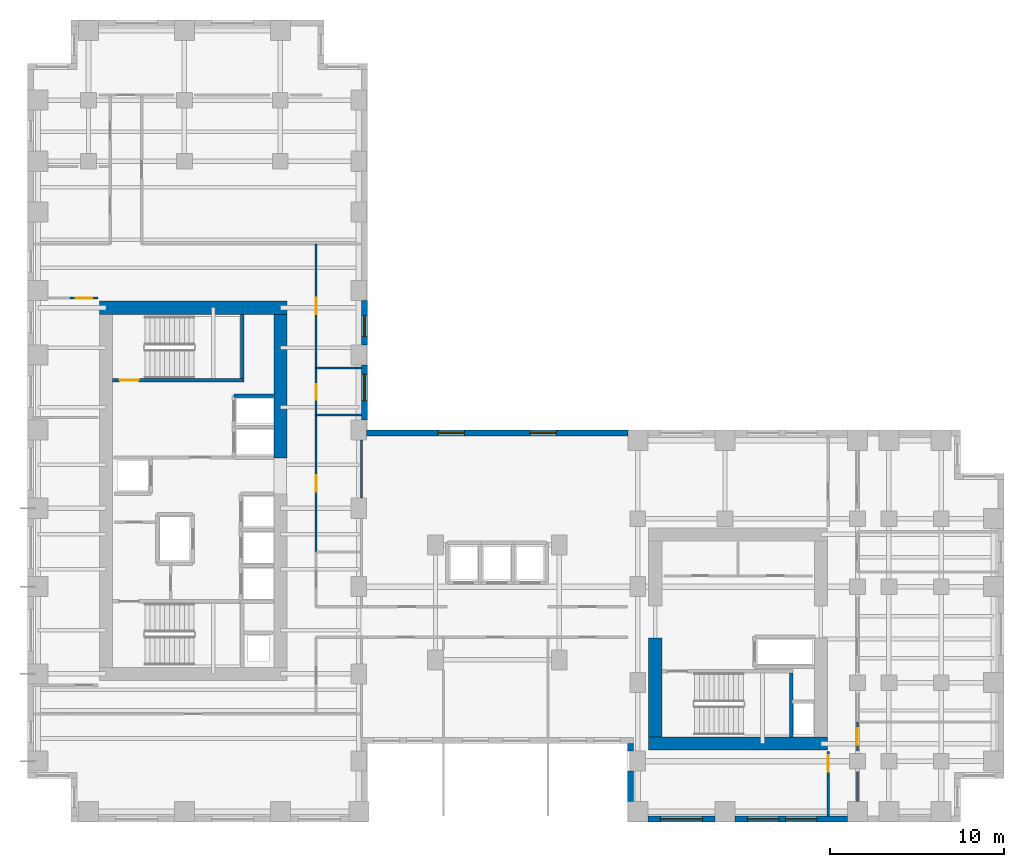
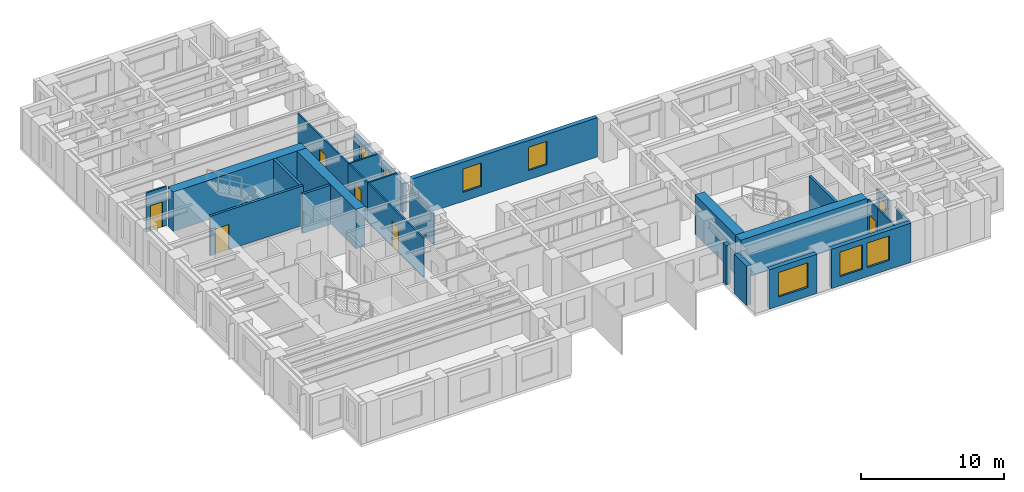
# One storey, part 6 of 11: 26 walls, 7 doors, 7 windows, 14 openings.
"""IFC4 building model written with IfcOpenShell, lengths in metres."""

from ifc_helpers import new_model, si_unit, direction, frame, frame_2d, origin, place, context, subcontext, project, spatial, rectangle, extrude, source, transform, mapped, material, layer, layer_set, type_object, element, fill, save


model = new_model("IFC4")

# Units and contexts
model_context = context("Model", 3, precision=1e-05, world=origin(), true_north=direction((0.0, 1.0)))
body_context = subcontext(model_context, "Body", "Model", "MODEL_VIEW")
ifc_project = project(units=[si_unit("LENGTHUNIT", "METRE"), si_unit("AREAUNIT", "SQUARE_METRE"), si_unit("VOLUMEUNIT", "CUBIC_METRE"), si_unit("PLANEANGLEUNIT", "RADIAN"), si_unit("MASSUNIT", "GRAM", prefix="KILO")], contexts=[model_context])

# Site, building, storey
site_placement = place(None, origin())
site = spatial("IfcSite", under=ifc_project, at=site_placement, CompositionType="ELEMENT")
building_placement = place(site_placement, origin())
building = spatial("IfcBuilding", under=site, at=building_placement, Name="Kharzan Plaza Tower", CompositionType="ELEMENT")
storey_placement = place(building_placement, frame((0.0, 0.0, 84.60009765625)))
storey = spatial("IfcBuildingStorey", under=building, at=storey_placement, Name="L22", CompositionType="ELEMENT", Elevation=84.60009765625)

# Wall, opening, window
ifc_material_1 = material(Name="Concrete C40/50", Category="concrete")
ifc_layer_1 = layer(ifc_material_1, 0.35009765625)
ifc_layer_set_1 = layer_set([ifc_layer_1], Name="Concrete C40/50")
wall_type_1 = type_object("IfcWallType", Name="WL-EXT-MAS-Z2", PredefinedType="SOLIDWALL", material=ifc_layer_set_1)
wall_1_placement = place(storey_placement, frame((35.572998046875, 0.175048828125, 0.0), z_axis=(0.0, 0.0, 1.0), x_axis=(1.0, 0.0, 0.0)))
wall_1 = element("IfcWall", 1, at=wall_1_placement, inside=storey, type_object=wall_type_1, Name="L22 Masonry-Frame Exterior Wall 30", PredefinedType="SOLIDWALL", context=body_context, shape_type="SweptSolid", body=[
    extrude(rectangle(XDim=3.85400390625, YDim=0.35009765625, at=frame_2d((1.927001953125, 0.0))), origin(), (0.0, 0.0, 1.0), 3.364990234375),
])
opening_1_placement = place(wall_1_placement, frame((0.72705078125, 0.0, 0.780029296875)))
opening_1 = element("IfcOpeningElement", 2, at=opening_1_placement, cuts=wall_1, Name="Opening W2", PredefinedType="OPENING", context=body_context, shape_type="SweptSolid", body=[
    extrude(rectangle(XDim=2.39990234375, YDim=2.10009765625, at=frame_2d((1.199951171875, 1.050048828125))), frame((0.0, 0.18505859375, 0.0), z_axis=(0.0, -1.0, 0.0), x_axis=(1.0, 0.0, 0.0)), (0.0, 0.0, 1.0), 0.3701171875),
])
ifc_material_2 = material(Name="Low-E Double Glazing", Category="glass")
window_type_1 = type_object("IfcWindowType", Name="WN-REC-2400x2100", PartitioningType="SINGLE_PANEL", PredefinedType="WINDOW", material=ifc_material_2)
shared_shape_1 = source(origin(), body_context, "Body", "SweptSolid", [
    extrude(rectangle(XDim=2.39990234375, YDim=2.10009765625, at=frame_2d((1.199951171875, 1.050048828125))), frame((0.0, 0.030029296875, 0.0), z_axis=(0.0, -1.0, 0.0), x_axis=(1.0, 0.0, 0.0)), (0.0, 0.0, 1.0), 0.06005859375),
])
window_1_placement = place(opening_1_placement, origin())
window_1 = element("IfcWindow", 3, at=window_1_placement, inside=storey, type_object=window_type_1, Name="L22 Wide Recessed Solar-Control Window 30-1", OverallHeight=2.10009765625, OverallWidth=2.39990234375, PartitioningType="SINGLE_PANEL", PredefinedType="WINDOW", context=body_context, shape_type="MappedRepresentation", body=[
    mapped(shared_shape_1, transform((0.0, 0.0, 0.0), x_axis=(1.0, 0.0, 0.0), y_axis=(0.0, 1.0, 0.0), z_axis=(0.0, 0.0, 1.0))),
])
fill(opening_1, window_1)

# Wall, openings, windows
wall_2_placement = place(storey_placement, frame((40.572998046875, 0.175048828125, 0.0), z_axis=(0.0, 0.0, 1.0), x_axis=(1.0, 0.0, 0.0)))
wall_2 = element("IfcWall", 4, at=wall_2_placement, inside=storey, type_object=wall_type_1, Name="L22 Masonry-Frame Exterior Wall 31", PredefinedType="SOLIDWALL", context=body_context, shape_type="SweptSolid", body=[
    extrude(rectangle(XDim=6.4541015625, YDim=0.35009765625, at=frame_2d((3.22705078125, 0.0))), origin(), (0.0, 0.0, 1.0), 3.364990234375),
])
opening_2_placement = place(wall_2_placement, frame((0.71240234375, 0.0, 0.780029296875)))
opening_2 = element("IfcOpeningElement", 5, at=opening_2_placement, cuts=wall_2, Name="Opening W1", PredefinedType="OPENING", context=body_context, shape_type="SweptSolid", body=[
    extrude(rectangle(XDim=1.800048828125, YDim=2.10009765625, at=frame_2d((0.89990234375, 1.050048828125))), frame((0.0, 0.18505859375, 0.0), z_axis=(0.0, -1.0, 0.0), x_axis=(1.0, 0.0, 0.0)), (0.0, 0.0, 1.0), 0.3701171875),
])
opening_3_placement = place(wall_2_placement, frame((2.90478515625, 0.0, 0.780029296875)))
opening_3 = element("IfcOpeningElement", 6, at=opening_3_placement, cuts=wall_2, Name="Opening W1", PredefinedType="OPENING", context=body_context, shape_type="SweptSolid", body=[
    extrude(rectangle(XDim=1.800048828125, YDim=2.10009765625, at=frame_2d((0.89990234375, 1.050048828125))), frame((0.0, 0.18505859375, 0.0), z_axis=(0.0, -1.0, 0.0), x_axis=(1.0, 0.0, 0.0)), (0.0, 0.0, 1.0), 0.3701171875),
])
window_type_2 = type_object("IfcWindowType", Name="WN-REC-1800x2100", PartitioningType="SINGLE_PANEL", PredefinedType="WINDOW", material=ifc_material_2)
shared_shape_2 = source(origin(), body_context, "Body", "SweptSolid", [
    extrude(rectangle(XDim=1.800048828125, YDim=2.10009765625, at=frame_2d((0.89990234375, 1.050048828125))), frame((0.0, 0.030029296875, 0.0), z_axis=(0.0, -1.0, 0.0), x_axis=(1.0, 0.0, 0.0)), (0.0, 0.0, 1.0), 0.06005859375),
])
window_2_placement = place(opening_2_placement, origin())
window_2 = element("IfcWindow", 7, at=window_2_placement, inside=storey, type_object=window_type_2, Name="L22 Recessed Solar-Control Window 31-1", OverallHeight=2.10009765625, OverallWidth=1.800048828125, PartitioningType="SINGLE_PANEL", PredefinedType="WINDOW", context=body_context, shape_type="MappedRepresentation", body=[
    mapped(shared_shape_2, transform((0.0, 0.0, 0.0), x_axis=(1.0, 0.0, 0.0), y_axis=(0.0, 1.0, 0.0), z_axis=(0.0, 0.0, 1.0))),
])
fill(opening_2, window_2)
window_3_placement = place(opening_3_placement, origin())
window_3 = element("IfcWindow", 8, at=window_3_placement, inside=storey, type_object=window_type_2, Name="L22 Recessed Solar-Control Window 31-2", OverallHeight=2.10009765625, OverallWidth=1.800048828125, PartitioningType="SINGLE_PANEL", PredefinedType="WINDOW", context=body_context, shape_type="MappedRepresentation", body=[
    mapped(shared_shape_2, transform((0.0, 0.0, 0.0), x_axis=(1.0, 0.0, 0.0), y_axis=(0.0, 1.0, 0.0), z_axis=(0.0, 0.0, 1.0))),
])
fill(opening_3, window_3)

wall_3_placement = place(storey_placement, frame((34.427001953125, 22.324951171875, 0.0), z_axis=(0.0, 0.0, 1.0), x_axis=(-1.0, 0.0, 0.0)))
wall_3 = element("IfcWall", 9, at=wall_3_placement, inside=storey, type_object=wall_type_1, Name="L22 Masonry-Frame Exterior Wall 48", PredefinedType="SOLIDWALL", context=body_context, shape_type="SweptSolid", body=[
    extrude(rectangle(XDim=14.97900390625, YDim=0.35009765625, at=frame_2d((7.489501953125, 0.0))), origin(), (0.0, 0.0, 1.0), 3.364990234375),
])
opening_4_placement = place(wall_3_placement, frame((4.099609375, 0.0, 0.780029296875)))
opening_4 = element("IfcOpeningElement", 10, at=opening_4_placement, cuts=wall_3, Name="Opening W5", PredefinedType="OPENING", context=body_context, shape_type="SweptSolid", body=[
    extrude(rectangle(XDim=1.5, YDim=2.0, at=frame_2d((0.75, 1.0))), frame((0.0, 0.18505859375, 0.0), z_axis=(0.0, -1.0, 0.0), x_axis=(1.0, 0.0, 0.0)), (0.0, 0.0, 1.0), 0.3701171875),
])
opening_5_placement = place(wall_3_placement, frame((9.37939453125, 0.0, 0.780029296875)))
opening_5 = element("IfcOpeningElement", 11, at=opening_5_placement, cuts=wall_3, Name="Opening W5", PredefinedType="OPENING", context=body_context, shape_type="SweptSolid", body=[
    extrude(rectangle(XDim=1.5, YDim=2.0, at=frame_2d((0.75, 1.0))), frame((0.0, 0.18505859375, 0.0), z_axis=(0.0, -1.0, 0.0), x_axis=(1.0, 0.0, 0.0)), (0.0, 0.0, 1.0), 0.3701171875),
])
window_type_3 = type_object("IfcWindowType", Name="WN-SLT-1500x2000", PartitioningType="SINGLE_PANEL", PredefinedType="WINDOW", material=ifc_material_2)
shared_shape_3 = source(origin(), body_context, "Body", "SweptSolid", [
    extrude(rectangle(XDim=1.5, YDim=2.0, at=frame_2d((0.75, 1.0))), frame((0.0, 0.030029296875, 0.0), z_axis=(0.0, -1.0, 0.0), x_axis=(1.0, 0.0, 0.0)), (0.0, 0.0, 1.0), 0.06005859375),
])
window_4_placement = place(opening_4_placement, origin())
window_4 = element("IfcWindow", 12, at=window_4_placement, inside=storey, type_object=window_type_3, Name="L22 Recessed Solar-Control Window 48-1", OverallHeight=2.0, OverallWidth=1.5, PartitioningType="SINGLE_PANEL", PredefinedType="WINDOW", context=body_context, shape_type="MappedRepresentation", body=[
    mapped(shared_shape_3, transform((0.0, 0.0, 0.0), x_axis=(1.0, 0.0, 0.0), y_axis=(0.0, 1.0, 0.0), z_axis=(0.0, 0.0, 1.0))),
])
fill(opening_4, window_4)
window_5_placement = place(opening_5_placement, origin())
window_5 = element("IfcWindow", 13, at=window_5_placement, inside=storey, type_object=window_type_3, Name="L22 Recessed Solar-Control Window 48-2", OverallHeight=2.0, OverallWidth=1.5, PartitioningType="SINGLE_PANEL", PredefinedType="WINDOW", context=body_context, shape_type="MappedRepresentation", body=[
    mapped(shared_shape_3, transform((0.0, 0.0, 0.0), x_axis=(1.0, 0.0, 0.0), y_axis=(0.0, 1.0, 0.0), z_axis=(0.0, 0.0, 1.0))),
])
fill(opening_5, window_5)

# Wall, opening, window
wall_4_placement = place(storey_placement, frame((19.324951171875, 23.072998046875, 0.0), z_axis=(0.0, 0.0, 1.0), x_axis=(0.0, 1.0, 0.0)))
wall_4 = element("IfcWall", 14, at=wall_4_placement, inside=storey, type_object=wall_type_1, Name="L22 Masonry-Frame Exterior Wall 49", PredefinedType="SOLIDWALL", context=body_context, shape_type="SweptSolid", body=[
    extrude(rectangle(XDim=3.154052734375, YDim=0.35009765625, at=frame_2d((1.5771484375, 0.0))), origin(), (0.0, 0.0, 1.0), 2.518798828125),
])
opening_6_placement = place(wall_4_placement, frame((1.10546875, 0.0, 0.780029296875)))
opening_6 = element("IfcOpeningElement", 15, at=opening_6_placement, cuts=wall_4, Name="Opening W5", PredefinedType="OPENING", context=body_context, shape_type="SweptSolid", body=[
    extrude(rectangle(XDim=1.5, YDim=1.55908203125, at=frame_2d((0.75, 0.779541015625))), frame((0.0, 0.18505859375, 0.0), z_axis=(0.0, -1.0, 0.0), x_axis=(1.0, 0.0, 0.0)), (0.0, 0.0, 1.0), 0.3701171875),
])
shared_shape_4 = source(origin(), body_context, "Body", "SweptSolid", [
    extrude(rectangle(XDim=1.5, YDim=1.55908203125, at=frame_2d((0.75, 0.779541015625))), frame((0.0, 0.030029296875, 0.0), z_axis=(0.0, -1.0, 0.0), x_axis=(1.0, 0.0, 0.0)), (0.0, 0.0, 1.0), 0.06005859375),
])
window_6_placement = place(opening_6_placement, origin())
window_6 = element("IfcWindow", 16, at=window_6_placement, inside=storey, type_object=window_type_3, Name="L22 Recessed Solar-Control Window 49-1", OverallHeight=1.55908203125, OverallWidth=1.5, PartitioningType="SINGLE_PANEL", PredefinedType="WINDOW", context=body_context, shape_type="MappedRepresentation", body=[
    mapped(shared_shape_4, transform((0.0, 0.0, 0.0), x_axis=(1.0, 0.0, 0.0), y_axis=(0.0, 1.0, 0.0), z_axis=(0.0, 0.0, 1.0))),
])
fill(opening_6, window_6)

wall_5_placement = place(storey_placement, frame((19.324951171875, 27.373046875, 0.0), z_axis=(0.0, 0.0, 1.0), x_axis=(0.0, 1.0, 0.0)))
wall_5 = element("IfcWall", 17, at=wall_5_placement, inside=storey, type_object=wall_type_1, Name="L22 Masonry-Frame Exterior Wall 50", PredefinedType="SOLIDWALL", context=body_context, shape_type="SweptSolid", body=[
    extrude(rectangle(XDim=2.553955078125, YDim=0.35009765625, at=frame_2d((1.27685546875, 0.0))), origin(), (0.0, 0.0, 1.0), 2.518798828125),
])
opening_7_placement = place(wall_5_placement, frame((0.47998046875, 0.0, 0.780029296875)))
opening_7 = element("IfcOpeningElement", 18, at=opening_7_placement, cuts=wall_5, Name="Opening W3", PredefinedType="OPENING", context=body_context, shape_type="SweptSolid", body=[
    extrude(rectangle(XDim=1.199951171875, YDim=1.55908203125, at=frame_2d((0.60009765625, 0.779541015625))), frame((0.0, 0.18505859375, 0.0), z_axis=(0.0, -1.0, 0.0), x_axis=(1.0, 0.0, 0.0)), (0.0, 0.0, 1.0), 0.3701171875),
])
window_type_4 = type_object("IfcWindowType", Name="WN-REC-1200x2100", PartitioningType="SINGLE_PANEL", PredefinedType="WINDOW", material=ifc_material_2)
shared_shape_5 = source(origin(), body_context, "Body", "SweptSolid", [
    extrude(rectangle(XDim=1.199951171875, YDim=1.55908203125, at=frame_2d((0.60009765625, 0.779541015625))), frame((0.0, 0.030029296875, 0.0), z_axis=(0.0, -1.0, 0.0), x_axis=(1.0, 0.0, 0.0)), (0.0, 0.0, 1.0), 0.06005859375),
])
window_7_placement = place(opening_7_placement, origin())
window_7 = element("IfcWindow", 19, at=window_7_placement, inside=storey, type_object=window_type_4, Name="L22 Recessed Solar-Control Window 50-1", OverallHeight=1.55908203125, OverallWidth=1.199951171875, PartitioningType="SINGLE_PANEL", PredefinedType="WINDOW", context=body_context, shape_type="MappedRepresentation", body=[
    mapped(shared_shape_5, transform((0.0, 0.0, 0.0), x_axis=(1.0, 0.0, 0.0), y_axis=(0.0, 1.0, 0.0), z_axis=(0.0, 0.0, 1.0))),
])
fill(opening_7, window_7)

# Wall, opening, door
ifc_material_3 = material(Name="Fire-Rated Gypsum Board Partition", Category="gypsum")
ifc_layer_2 = layer(ifc_material_3, 0.125)
ifc_layer_set_2 = layer_set([ifc_layer_2], Name="Fire-Rated Gypsum Board Partition")
wall_type_2 = type_object("IfcWallType", Name="WL-INT-PART-125", PredefinedType="PARTITIONING", material=ifc_layer_set_2)
wall_6_placement = place(storey_placement, frame((16.550048828125, 15.5, 0.0), z_axis=(0.0, 0.0, 1.0), x_axis=(0.0, 1.0, 0.0)))
wall_6 = element("IfcWall", 20, at=wall_6_placement, inside=storey, type_object=wall_type_2, Name="L22 Interior Partition SH-AEWN2", PredefinedType="PARTITIONING", context=body_context, shape_type="SweptSolid", body=[
    extrude(rectangle(XDim=7.85009765625, YDim=0.125, at=frame_2d((3.925048828125, 0.0))), origin(), (0.0, 0.0, 1.0), 3.364990234375),
])
opening_8_placement = place(wall_6_placement, frame((3.449951171875, 0.0, 0.0)))
opening_8 = element("IfcOpeningElement", 21, at=opening_8_placement, cuts=wall_6, Name="Opening OD1", PredefinedType="OPENING", context=body_context, shape_type="SweptSolid", body=[
    extrude(rectangle(XDim=0.949951171875, YDim=2.14990234375, at=frame_2d((0.47509765625, 1.074951171875))), frame((0.0, 0.072509765625, 0.0), z_axis=(0.0, -1.0, 0.0), x_axis=(1.0, 0.0, 0.0)), (0.0, 0.0, 1.0), 0.14501953125),
])
ifc_material_4 = material(Name="Acoustic Solid-Core Stained Oak", Category="timber")
door_type_1 = type_object("IfcDoorType", Name="DR-OFF-SINGLE", OperationType="NOTDEFINED", PredefinedType="DOOR", material=ifc_material_4)
shared_shape_6 = source(origin(), body_context, "Body", "SweptSolid", [
    extrude(rectangle(XDim=0.949951171875, YDim=2.14990234375, at=frame_2d((0.47509765625, 1.074951171875))), frame((0.0, 0.02490234375, 0.0), z_axis=(0.0, -1.0, 0.0), x_axis=(1.0, 0.0, 0.0)), (0.0, 0.0, 1.0), 0.050048828125),
])
door_1_placement = place(opening_8_placement, origin())
door_1 = element("IfcDoor", 22, at=door_1_placement, inside=storey, type_object=door_type_1, Name="L22 Slot Studio Door", OperationType="SINGLE_SWING_LEFT", OverallHeight=2.14990234375, OverallWidth=0.949951171875, PredefinedType="DOOR", context=body_context, shape_type="MappedRepresentation", body=[
    mapped(shared_shape_6, transform((0.0, 0.0, 0.0), x_axis=(1.0, 0.0, 0.0), y_axis=(0.0, 1.0, 0.0), z_axis=(0.0, 0.0, 1.0))),
])
fill(opening_8, door_1)

wall_7_placement = place(storey_placement, frame((16.550048828125, 26.050048828125, 0.0), z_axis=(0.0, 0.0, 1.0), x_axis=(0.0, 1.0, 0.0)))
wall_7 = element("IfcWall", 23, at=wall_7_placement, inside=storey, type_object=wall_type_2, Name="L22 Interior Partition SH-AEWN3", PredefinedType="PARTITIONING", context=body_context, shape_type="SweptSolid", body=[
    extrude(rectangle(XDim=7.099853515625, YDim=0.125, at=frame_2d((3.5498046875, 0.0))), origin(), (0.0, 0.0, 1.0), 3.364990234375),
])
opening_9_placement = place(wall_7_placement, frame((3.074951171875, 0.0, 0.0)))
opening_9 = element("IfcOpeningElement", 24, at=opening_9_placement, cuts=wall_7, Name="Opening OD1", PredefinedType="OPENING", context=body_context, shape_type="SweptSolid", body=[
    extrude(rectangle(XDim=0.949951171875, YDim=2.14990234375, at=frame_2d((0.47509765625, 1.074951171875))), frame((0.0, 0.072509765625, 0.0), z_axis=(0.0, -1.0, 0.0), x_axis=(1.0, 0.0, 0.0)), (0.0, 0.0, 1.0), 0.14501953125),
])
door_2_placement = place(opening_9_placement, origin())
door_2 = element("IfcDoor", 25, at=door_2_placement, inside=storey, type_object=door_type_1, Name="L22 Staff Tea Point Door", OperationType="SINGLE_SWING_LEFT", OverallHeight=2.14990234375, OverallWidth=0.949951171875, PredefinedType="DOOR", context=body_context, shape_type="MappedRepresentation", body=[
    mapped(shared_shape_6, transform((0.0, 0.0, 0.0), x_axis=(1.0, 0.0, 0.0), y_axis=(0.0, 1.0, 0.0), z_axis=(0.0, 0.0, 1.0))),
])
fill(opening_9, door_2)

wall_8_placement = place(storey_placement, frame((16.550048828125, 23.35009765625, 0.0), z_axis=(0.0, 0.0, 1.0), x_axis=(0.0, 1.0, 0.0)))
wall_8 = element("IfcWall", 26, at=wall_8_placement, inside=storey, type_object=wall_type_2, Name="L22 Interior Partition SH-AEWW", PredefinedType="PARTITIONING", context=body_context, shape_type="SweptSolid", body=[
    extrude(rectangle(XDim=2.699951171875, YDim=0.125, at=frame_2d((1.35009765625, 0.0))), origin(), (0.0, 0.0, 1.0), 3.364990234375),
])
opening_10_placement = place(wall_8_placement, frame((0.875, 0.0, 0.0)))
opening_10 = element("IfcOpeningElement", 27, at=opening_10_placement, cuts=wall_8, Name="Opening WD1", PredefinedType="OPENING", context=body_context, shape_type="SweptSolid", body=[
    extrude(rectangle(XDim=0.89990234375, YDim=2.14990234375, at=frame_2d((0.449951171875, 1.074951171875))), frame((0.0, 0.072509765625, 0.0), z_axis=(0.0, -1.0, 0.0), x_axis=(1.0, 0.0, 0.0)), (0.0, 0.0, 1.0), 0.14501953125),
])
ifc_material_5 = material(Name="Moisture-Resistant Fire-Rated Laminate", Category="timber")
door_type_2 = type_object("IfcDoorType", Name="DR-WC-900", OperationType="NOTDEFINED", PredefinedType="DOOR", material=ifc_material_5)
shared_shape_7 = source(origin(), body_context, "Body", "SweptSolid", [
    extrude(rectangle(XDim=0.89990234375, YDim=2.14990234375, at=frame_2d((0.449951171875, 1.074951171875))), frame((0.0, 0.02490234375, 0.0), z_axis=(0.0, -1.0, 0.0), x_axis=(1.0, 0.0, 0.0)), (0.0, 0.0, 1.0), 0.050048828125),
])
door_3_placement = place(opening_10_placement, origin())
door_3 = element("IfcDoor", 28, at=door_3_placement, inside=storey, type_object=door_type_2, Name="L22 Wing A Washroom Door", OperationType="SINGLE_SWING_RIGHT", OverallHeight=2.14990234375, OverallWidth=0.89990234375, PredefinedType="DOOR", context=body_context, shape_type="MappedRepresentation", body=[
    mapped(shared_shape_7, transform((0.0, 0.0, 0.0), x_axis=(1.0, 0.0, 0.0), y_axis=(0.0, 1.0, 0.0), z_axis=(0.0, 0.0, 1.0))),
])
fill(opening_10, door_3)

wall_9_placement = place(storey_placement, frame((47.60009765625, 4.090087890625, 0.0), z_axis=(0.0, 0.0, 1.0), x_axis=(0.0, 1.0, 0.0)))
wall_9 = element("IfcWall", 29, at=wall_9_placement, inside=storey, type_object=wall_type_2, Name="L22 Interior Partition SH-B3W0", PredefinedType="PARTITIONING", context=body_context, shape_type="SweptSolid", body=[
    extrude(rectangle(XDim=1.659912109375, YDim=0.125, at=frame_2d((0.830078125, 0.0))), origin(), (0.0, 0.0, 1.0), 2.677001953125),
])
opening_11_placement = place(wall_9_placement, frame((0.35498046875, 0.0, 0.0)))
opening_11 = element("IfcOpeningElement", 30, at=opening_11_placement, cuts=wall_9, Name="Opening OD1", PredefinedType="OPENING", context=body_context, shape_type="SweptSolid", body=[
    extrude(rectangle(XDim=0.949951171875, YDim=2.14990234375, at=frame_2d((0.47509765625, 1.074951171875))), frame((0.0, 0.072509765625, 0.0), z_axis=(0.0, -1.0, 0.0), x_axis=(1.0, 0.0, 0.0)), (0.0, 0.0, 1.0), 0.14501953125),
])
door_4_placement = place(opening_11_placement, origin())
door_4 = element("IfcDoor", 31, at=door_4_placement, inside=storey, type_object=door_type_1, Name="L22 Wing B Office 1 Door", OperationType="SINGLE_SWING_RIGHT", OverallHeight=2.14990234375, OverallWidth=0.949951171875, PredefinedType="DOOR", context=body_context, shape_type="MappedRepresentation", body=[
    mapped(shared_shape_6, transform((0.0, 0.0, 0.0), x_axis=(1.0, 0.0, 0.0), y_axis=(0.0, 1.0, 0.0), z_axis=(0.0, 0.0, 1.0))),
])
fill(opening_11, door_4)

wall_10_placement = place(storey_placement, frame((45.919921875, 2.64990234375, 0.0), z_axis=(0.0, 0.0, 1.0), x_axis=(0.0, 1.0, 0.0)))
wall_10 = element("IfcWall", 32, at=wall_10_placement, inside=storey, type_object=wall_type_2, Name="L22 Interior Partition SH-RBSE", PredefinedType="PARTITIONING", context=body_context, shape_type="SweptSolid", body=[
    extrude(rectangle(XDim=1.400146484375, YDim=0.125, at=frame_2d((0.7001953125, 0.0))), origin(), (0.0, 0.0, 1.0), 3.364990234375),
])
opening_12_placement = place(wall_10_placement, frame((0.22509765625, 0.0, 0.0)))
opening_12 = element("IfcOpeningElement", 33, at=opening_12_placement, cuts=wall_10, Name="Opening OD1", PredefinedType="OPENING", context=body_context, shape_type="SweptSolid", body=[
    extrude(rectangle(XDim=0.949951171875, YDim=2.14990234375, at=frame_2d((0.47509765625, 1.074951171875))), frame((0.0, 0.072509765625, 0.0), z_axis=(0.0, -1.0, 0.0), x_axis=(1.0, 0.0, 0.0)), (0.0, 0.0, 1.0), 0.14501953125),
])
door_5_placement = place(opening_12_placement, origin())
door_5 = element("IfcDoor", 34, at=door_5_placement, inside=storey, type_object=door_type_1, Name="L22 South-East Corner Office Door", OperationType="SINGLE_SWING_LEFT", OverallHeight=2.14990234375, OverallWidth=0.949951171875, PredefinedType="DOOR", context=body_context, shape_type="MappedRepresentation", body=[
    mapped(shared_shape_6, transform((0.0, 0.0, 0.0), x_axis=(1.0, 0.0, 0.0), y_axis=(0.0, 1.0, 0.0), z_axis=(0.0, 0.0, 1.0))),
])
fill(opening_12, door_5)

wall_11_placement = place(storey_placement, frame((2.449951171875, 30.050048828125, 0.0), z_axis=(0.0, 0.0, 1.0), x_axis=(1.0, 0.0, 0.0)))
wall_11 = element("IfcWall", 35, at=wall_11_placement, inside=storey, type_object=wall_type_2, Name="L22 Interior Partition SH-RWND", PredefinedType="PARTITIONING", context=body_context, shape_type="SweptSolid", body=[
    extrude(rectangle(XDim=1.60009765625, YDim=0.125, at=frame_2d((0.800048828125, 0.0))), origin(), (0.0, 0.0, 1.0), 3.364990234375),
])
opening_13_placement = place(wall_11_placement, frame((0.324951171875, 0.0, 0.0)))
opening_13 = element("IfcOpeningElement", 36, at=opening_13_placement, cuts=wall_11, Name="Opening OD1", PredefinedType="OPENING", context=body_context, shape_type="SweptSolid", body=[
    extrude(rectangle(XDim=0.949951171875, YDim=2.14990234375, at=frame_2d((0.47509765625, 1.074951171875))), frame((0.0, 0.072509765625, 0.0), z_axis=(0.0, -1.0, 0.0), x_axis=(1.0, 0.0, 0.0)), (0.0, 0.0, 1.0), 0.14501953125),
])
door_6_placement = place(opening_13_placement, origin())
door_6 = element("IfcDoor", 37, at=door_6_placement, inside=storey, type_object=door_type_1, Name="L22 West Office 2 Door", OperationType="SINGLE_SWING_LEFT", OverallHeight=2.14990234375, OverallWidth=0.949951171875, PredefinedType="DOOR", context=body_context, shape_type="MappedRepresentation", body=[
    mapped(shared_shape_6, transform((0.0, 0.0, 0.0), x_axis=(1.0, 0.0, 0.0), y_axis=(0.0, 1.0, 0.0), z_axis=(0.0, 0.0, 1.0))),
])
fill(opening_13, door_6)

ifc_material_6 = material(Name="Concrete C50/60", Category="concrete")
ifc_layer_3 = layer(ifc_material_6, 0.199951171875)
ifc_layer_set_3 = layer_set([ifc_layer_3], Name="Concrete C50/60")
wall_type_3 = type_object("IfcWallType", Name="WL-SHAFT-RC200", PredefinedType="SHEAR", material=ifc_layer_set_3)
wall_12_placement = place(storey_placement, frame((4.876953125, 25.344970703125, 0.0), z_axis=(0.0, 0.0, 1.0), x_axis=(1.0, 0.0, 0.0)))
wall_12 = element("IfcWall", 38, at=wall_12_placement, inside=storey, type_object=wall_type_3, Name="L22 Stair ST-2 South RC Shaft Wall", PredefinedType="SHEAR", context=body_context, shape_type="SweptSolid", body=[
    extrude(rectangle(XDim=7.528076171875, YDim=0.199951171875, at=frame_2d((3.76416015625, 0.0))), origin(), (0.0, 0.0, 1.0), 3.3798828125),
])
opening_14_placement = place(wall_12_placement, frame((0.39990234375, 0.0, 0.0)))
opening_14 = element("IfcOpeningElement", 39, at=opening_14_placement, cuts=wall_12, Name="Opening SD1", PredefinedType="OPENING", context=body_context, shape_type="SweptSolid", body=[
    extrude(rectangle(XDim=1.10009765625, YDim=2.14990234375, at=frame_2d((0.550048828125, 1.074951171875))), frame((0.0, 0.10986328125, 0.0), z_axis=(0.0, -1.0, 0.0), x_axis=(1.0, 0.0, 0.0)), (0.0, 0.0, 1.0), 0.219970703125),
])
ifc_material_7 = material(Name="Fire-Rated Hollow Galvanized Steel", Category="steel")
door_type_3 = type_object("IfcDoorType", Name="DR-STAIR-FD120", OperationType="NOTDEFINED", PredefinedType="DOOR", material=ifc_material_7)
shared_shape_8 = source(origin(), body_context, "Body", "SweptSolid", [
    extrude(rectangle(XDim=1.10009765625, YDim=2.14990234375, at=frame_2d((0.550048828125, 1.074951171875))), frame((0.0, 0.02490234375, 0.0), z_axis=(0.0, -1.0, 0.0), x_axis=(1.0, 0.0, 0.0)), (0.0, 0.0, 1.0), 0.050048828125),
])
door_7_placement = place(opening_14_placement, origin())
door_7 = element("IfcDoor", 40, at=door_7_placement, inside=storey, type_object=door_type_3, Name="L22 Stair ST-2 Fire Exit Door", OperationType="SINGLE_SWING_LEFT", OverallHeight=2.14990234375, OverallWidth=1.10009765625, PredefinedType="DOOR", context=body_context, shape_type="MappedRepresentation", body=[
    mapped(shared_shape_8, transform((0.0, 0.0, 0.0), x_axis=(1.0, 0.0, 0.0), y_axis=(0.0, 1.0, 0.0), z_axis=(0.0, 0.0, 1.0))),
])
fill(opening_14, door_7)

# Walls
shared_shape_9 = source(origin(), body_context, "Body", "SweptSolid", [
    extrude(rectangle(XDim=2.597900390625, YDim=0.125, at=frame_2d((1.298828125, 0.0))), origin(), (0.0, 0.0, 1.0), 3.364990234375),
])
for number, where, z_axis, x_axis, name in (
    (41, (16.550048828125, 23.35009765625, 0.0), (0.0, 0.0, 1.0), (1.0, 0.0, 0.0), "L22 Interior Partition SH-AEH-233"),
    (42, (16.550048828125, 26.050048828125, 0.0), (0.0, 0.0, 1.0), (1.0, 0.0, 0.0), "L22 Interior Partition SH-AEH-260"),
):
    element("IfcWall", number, at=place(storey_placement, frame(where, z_axis=z_axis, x_axis=x_axis)), inside=storey, type_object=wall_type_2, Name=name, PredefinedType="PARTITIONING", context=body_context, shape_type="MappedRepresentation", body=[
        mapped(shared_shape_9, transform((0.0, 0.0, 0.0), x_axis=(1.0, 0.0, 0.0), y_axis=(0.0, 1.0, 0.0), z_axis=(0.0, 0.0, 1.0))),
    ])
shared_shape_10 = source(origin(), body_context, "Body", "SweptSolid", [
    extrude(rectangle(XDim=2.2978515625, YDim=0.125, at=frame_2d((1.14892578125, 0.0))), origin(), (0.0, 0.0, 1.0), 3.364990234375),
])
wall_13_placement = place(storey_placement, frame((45.919921875, 0.35205078125, 0.0), z_axis=(0.0, 0.0, 1.0), x_axis=(0.0, 1.0, 0.0)))
element("IfcWall", 43, at=wall_13_placement, inside=storey, type_object=wall_type_2, Name="L22 Interior Partition SH-RBSE0", PredefinedType="PARTITIONING", context=body_context, shape_type="MappedRepresentation", body=[
    mapped(shared_shape_10, transform((0.0, 0.0, 0.0), x_axis=(1.0, 0.0, 0.0), y_axis=(0.0, 1.0, 0.0), z_axis=(0.0, 0.0, 1.0))),
])
shared_shape_11 = source(origin(), body_context, "Body", "SweptSolid", [
    extrude(rectangle(XDim=1.75390625, YDim=0.35009765625, at=frame_2d((0.876953125, 0.0))), origin(), (0.0, 0.0, 1.0), 3.364990234375),
])
wall_14_placement = place(storey_placement, frame((34.574951171875, 2.927001953125, 0.0), z_axis=(0.0, 0.0, 1.0), x_axis=(0.0, -1.0, 0.0)))
element("IfcWall", 44, at=wall_14_placement, inside=storey, type_object=wall_type_1, Name="L22 Masonry-Frame Exterior Wall 29", PredefinedType="SOLIDWALL", context=body_context, shape_type="MappedRepresentation", body=[
    mapped(shared_shape_11, transform((0.0, 0.0, 0.0), x_axis=(1.0, 0.0, 0.0), y_axis=(0.0, 1.0, 0.0), z_axis=(0.0, 0.0, 1.0))),
])
shared_shape_12 = source(origin(), body_context, "Body", "SweptSolid", [
    extrude(rectangle(XDim=0.428955078125, YDim=0.35009765625, at=frame_2d((0.21435546875, 0.0))), origin(), (0.0, 0.0, 1.0), 3.364990234375),
])
wall_15_placement = place(storey_placement, frame((34.574951171875, 4.501953125, 0.0), z_axis=(0.0, 0.0, 1.0), x_axis=(0.0, -1.0, 0.0)))
element("IfcWall", 45, at=wall_15_placement, inside=storey, type_object=wall_type_1, Name="L22 Masonry-Frame Exterior Wall 28", PredefinedType="SOLIDWALL", context=body_context, shape_type="MappedRepresentation", body=[
    mapped(shared_shape_12, transform((0.0, 0.0, 0.0), x_axis=(1.0, 0.0, 0.0), y_axis=(0.0, 1.0, 0.0), z_axis=(0.0, 0.0, 1.0))),
])
shared_shape_13 = source(origin(), body_context, "Body", "SweptSolid", [
    extrude(rectangle(XDim=3.31982421875, YDim=0.125, at=frame_2d((1.659912109375, 0.0))), origin(), (0.0, 0.0, 1.0), 2.677001953125),
])
wall_16_placement = place(storey_placement, frame((19.14990234375, 18.590087890625, 0.0), z_axis=(0.0, 0.0, 1.0), x_axis=(0.0, 1.0, 0.0)))
element("IfcWall", 46, at=wall_16_placement, inside=storey, type_object=wall_type_2, Name="L22 Interior Partition SH-AEN-DIV-S3", PredefinedType="PARTITIONING", context=body_context, shape_type="MappedRepresentation", body=[
    mapped(shared_shape_13, transform((0.0, 0.0, 0.0), x_axis=(1.0, 0.0, 0.0), y_axis=(0.0, 1.0, 0.0), z_axis=(0.0, 0.0, 1.0))),
])
shared_shape_14 = source(origin(), body_context, "Body", "SweptSolid", [
    extrude(rectangle(XDim=1.719970703125, YDim=0.125, at=frame_2d((0.85986328125, 0.0))), origin(), (0.0, 0.0, 1.0), 2.677001953125),
])
wall_17_placement = place(storey_placement, frame((47.60009765625, 1.18994140625, 0.0), z_axis=(0.0, 0.0, 1.0), x_axis=(0.0, 1.0, 0.0)))
element("IfcWall", 47, at=wall_17_placement, inside=storey, type_object=wall_type_2, Name="L22 Interior Partition SH-B3W0S", PredefinedType="PARTITIONING", context=body_context, shape_type="MappedRepresentation", body=[
    mapped(shared_shape_14, transform((0.0, 0.0, 0.0), x_axis=(1.0, 0.0, 0.0), y_axis=(0.0, 1.0, 0.0), z_axis=(0.0, 0.0, 1.0))),
])
ifc_layer_4 = layer(ifc_material_1, 0.199951171875)
ifc_layer_set_4 = layer_set([ifc_layer_4], Name="Concrete C40/50")
wall_type_4 = type_object("IfcWallType", Name="WL-INT-SHAFT-200", PredefinedType="PARTITIONING", material=ifc_layer_set_4)
shared_shape_15 = source(origin(), body_context, "Body", "SweptSolid", [
    extrude(rectangle(XDim=2.264892578125, YDim=0.199951171875, at=frame_2d((1.13232421875, 0.0))), origin(), (0.0, 0.0, 1.0), 3.364990234375),
])
wall_18_placement = place(storey_placement, frame((11.830078125, 24.4599609375, 0.0), z_axis=(0.0, 0.0, 1.0), x_axis=(1.0, 0.0, 0.0)))
element("IfcWall", 48, at=wall_18_placement, inside=storey, type_object=wall_type_4, Name="L22 Interior Partition SHF-FFL-2-N", PredefinedType="PARTITIONING", context=body_context, shape_type="MappedRepresentation", body=[
    mapped(shared_shape_15, transform((0.0, 0.0, 0.0), x_axis=(1.0, 0.0, 0.0), y_axis=(0.0, 1.0, 0.0), z_axis=(0.0, 0.0, 1.0))),
])
ifc_material_8 = material(Name="Concrete C60/75", Category="concrete")
ifc_layer_5 = layer(ifc_material_8, 0.75)
ifc_layer_set_5 = layer_set([ifc_layer_5], Name="Concrete C60/75")
wall_type_5 = type_object("IfcWallType", Name="WL-CORE-750", PredefinedType="SHEAR", material=ifc_layer_set_5)
shared_shape_16 = source(origin(), body_context, "Body", "SweptSolid", [
    extrude(rectangle(XDim=8.2451171875, YDim=0.75, at=frame_2d((4.12255859375, 0.0))), origin(), (0.0, 0.0, 1.0), 3.3798828125),
])
wall_19_placement = place(storey_placement, frame((14.5, 20.8798828125, 0.0), z_axis=(0.0, 0.0, 1.0), x_axis=(0.0, 1.0, 0.0)))
element("IfcWall", 49, at=wall_19_placement, inside=storey, type_object=wall_type_5, Name="L22 CORE-A east shear pier 2", PredefinedType="SHEAR", context=body_context, shape_type="MappedRepresentation", body=[
    mapped(shared_shape_16, transform((0.0, 0.0, 0.0), x_axis=(1.0, 0.0, 0.0), y_axis=(0.0, 1.0, 0.0), z_axis=(0.0, 0.0, 1.0))),
])
shared_shape_17 = source(origin(), body_context, "Body", "SweptSolid", [
    extrude(rectangle(XDim=10.75, YDim=0.75, at=frame_2d((5.375, 0.0))), origin(), (0.0, 0.0, 1.0), 3.3798828125),
])
wall_20_placement = place(storey_placement, frame((4.125, 29.5, 0.0), z_axis=(0.0, 0.0, 1.0), x_axis=(1.0, 0.0, 0.0)))
element("IfcWall", 50, at=wall_20_placement, inside=storey, type_object=wall_type_5, Name="L22 CORE-A north RC shear wall", PredefinedType="SHEAR", context=body_context, shape_type="MappedRepresentation", body=[
    mapped(shared_shape_17, transform((0.0, 0.0, 0.0), x_axis=(1.0, 0.0, 0.0), y_axis=(0.0, 1.0, 0.0), z_axis=(0.0, 0.0, 1.0))),
])
shared_shape_18 = source(origin(), body_context, "Body", "SweptSolid", [
    extrude(rectangle(XDim=5.675048828125, YDim=0.75, at=frame_2d((2.83740234375, 0.0))), origin(), (0.0, 0.0, 1.0), 3.3798828125),
])
wall_21_placement = place(storey_placement, frame((36.0, 4.875, 0.0), z_axis=(0.0, 0.0, 1.0), x_axis=(0.0, 1.0, 0.0)))
element("IfcWall", 51, at=wall_21_placement, inside=storey, type_object=wall_type_5, Name="L22 CORE-B west shear pier 1", PredefinedType="SHEAR", context=body_context, shape_type="MappedRepresentation", body=[
    mapped(shared_shape_18, transform((0.0, 0.0, 0.0), x_axis=(1.0, 0.0, 0.0), y_axis=(0.0, 1.0, 0.0), z_axis=(0.0, 0.0, 1.0))),
])
shared_shape_19 = source(origin(), body_context, "Body", "SweptSolid", [
    extrude(rectangle(XDim=10.25, YDim=0.75, at=frame_2d((5.125, 0.0))), origin(), (0.0, 0.0, 1.0), 3.3798828125),
])
wall_22_placement = place(storey_placement, frame((35.625, 4.5, 0.0), z_axis=(0.0, 0.0, 1.0), x_axis=(1.0, 0.0, 0.0)))
element("IfcWall", 52, at=wall_22_placement, inside=storey, type_object=wall_type_5, Name="L22 CORE-B south RC shear wall", PredefinedType="SHEAR", context=body_context, shape_type="MappedRepresentation", body=[
    mapped(shared_shape_19, transform((0.0, 0.0, 0.0), x_axis=(1.0, 0.0, 0.0), y_axis=(0.0, 1.0, 0.0), z_axis=(0.0, 0.0, 1.0))),
])
shared_shape_20 = source(origin(), body_context, "Body", "SweptSolid", [
    extrude(rectangle(XDim=3.677978515625, YDim=0.199951171875, at=frame_2d((1.8388671875, 0.0))), origin(), (0.0, 0.0, 1.0), 3.3798828125),
])
for number, where, z_axis, x_axis, name in (
    (53, (12.304931640625, 25.445068359375, 0.0), (0.0, 0.0, 1.0), (0.0, 1.0, 0.0), "L22 Stair ST-2 East RC Shaft Wall"),
    (54, (43.804931640625, 4.876953125, 0.0), (0.0, 0.0, 1.0), (0.0, 1.0, 0.0), "L22 Stair ST-3 East RC Shaft Wall"),
):
    element("IfcWall", number, at=place(storey_placement, frame(where, z_axis=z_axis, x_axis=x_axis)), inside=storey, type_object=wall_type_3, Name=name, PredefinedType="SHEAR", context=body_context, shape_type="MappedRepresentation", body=[
        mapped(shared_shape_20, transform((0.0, 0.0, 0.0), x_axis=(1.0, 0.0, 0.0), y_axis=(0.0, 1.0, 0.0), z_axis=(0.0, 0.0, 1.0))),
    ])

save(model, "model.ifc")
